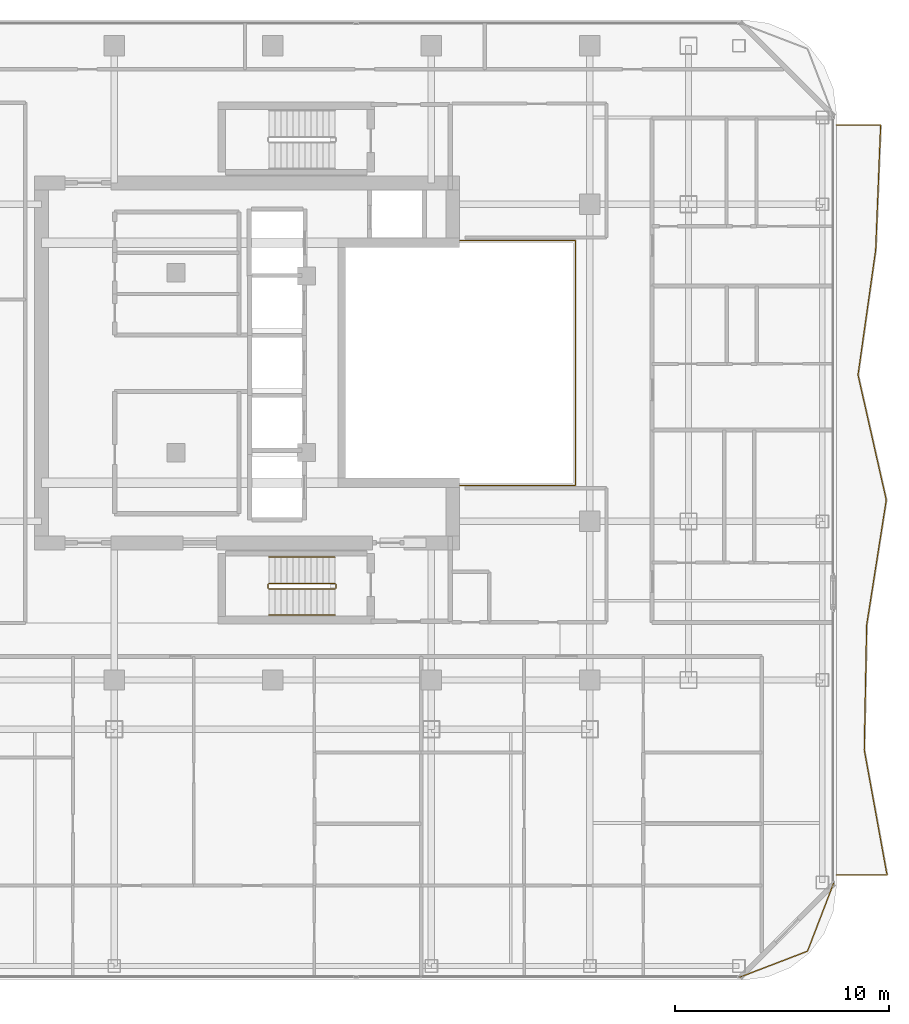
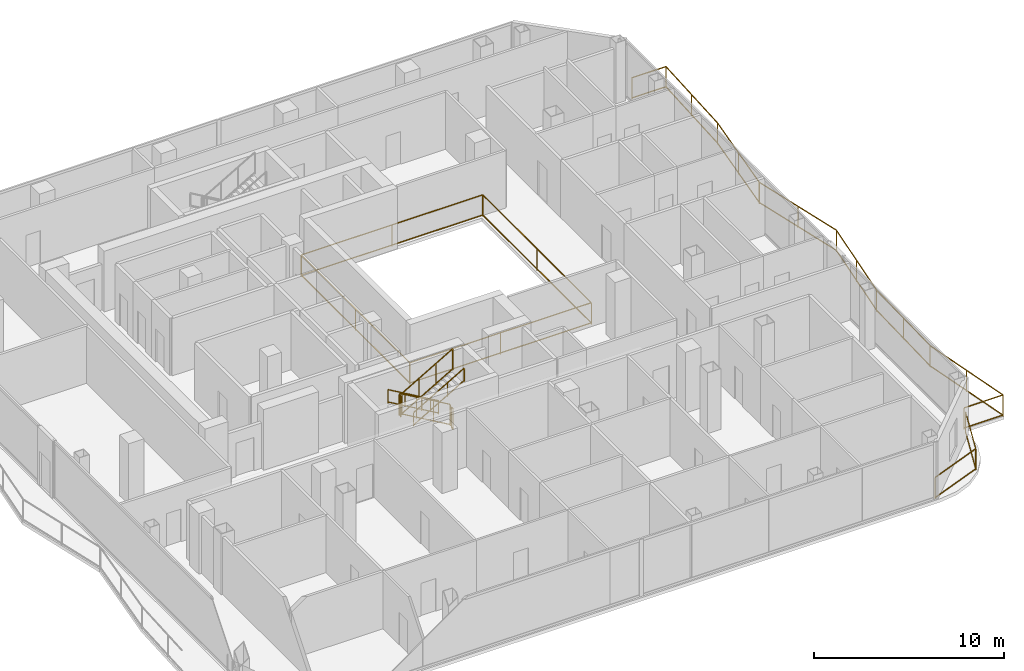
# One storey, part 26 of 27: 9 railings.
"""IFC4 building model written with IfcOpenShell, lengths in metres."""

from ifc_helpers import new_model, si_unit, direction, frame, origin, origin_2d, place, context, subcontext, project, spatial, rectangle, extrude, material, type_object, element, save


model = new_model("IFC4")

# Units and contexts
model_context = context("Model", 3, precision=1e-05, world=origin(), true_north=direction((0.0, 1.0)))
body_context = subcontext(model_context, "Body", "Model", "MODEL_VIEW")
ifc_project = project(units=[si_unit("LENGTHUNIT", "METRE"), si_unit("AREAUNIT", "SQUARE_METRE"), si_unit("VOLUMEUNIT", "CUBIC_METRE"), si_unit("PLANEANGLEUNIT", "RADIAN"), si_unit("MASSUNIT", "GRAM", prefix="KILO")], contexts=[model_context])

# Site, building, storey
site_placement = place(None, origin())
site = spatial("IfcSite", under=ifc_project, at=site_placement, CompositionType="ELEMENT")
building_placement = place(site_placement, origin())
building = spatial("IfcBuilding", under=site, at=building_placement, Name="Khorvyn Point Tower", CompositionType="ELEMENT")
storey_placement = place(building_placement, frame((0.0, 0.0, 246.89990234375)))
storey = spatial("IfcBuildingStorey", under=building, at=storey_placement, Name="L60", CompositionType="ELEMENT", Elevation=246.89990234375)

# Railings
ifc_material_1 = material(Name="Stainless steel 1.4401 and laminated glass", Category="steel")
railing_type_1 = type_object("IfcRailingType", Name="Crystal Atrium Smoke-Rated Perimeter Guardrail 1400", PredefinedType="GUARDRAIL", material=ifc_material_1)
railing_1_placement = place(storey_placement, frame((3.080078125, -5.719970703125, 0.0)))
element("IfcRailing", 1, at=railing_1_placement, inside=storey, type_object=railing_type_1, Name="L60 Crystal Atrium Perimeter Guardrail", PredefinedType="GUARDRAIL", context=body_context, shape_type="SweptSolid", body=[
    extrude(rectangle(XDim=0.048095703125, YDim=0.048095703125, at=origin_2d()), frame((0.0, 0.0, 1.3759765625), z_axis=(1.0, 0.0, 0.0), x_axis=(0.0, 1.0, 0.0)), (0.0, 0.0, 1.0), 11.0400390625),
    extrude(rectangle(XDim=0.048095703125, YDim=0.048095703125, at=origin_2d()), frame((0.0, 0.0, 0.080078125), z_axis=(1.0, 0.0, 0.0), x_axis=(0.0, 1.0, 0.0)), (0.0, 0.0, 1.0), 11.0400390625),
    extrude(rectangle(XDim=0.048095703125, YDim=0.048095703125, at=origin_2d()), frame((11.0400390625, 0.0, 1.3759765625), z_axis=(0.0, 1.0, 0.0), x_axis=(-1.0, 0.0, 0.0)), (0.0, 0.0, 1.0), 11.43994140625),
    extrude(rectangle(XDim=0.048095703125, YDim=0.048095703125, at=origin_2d()), frame((11.0400390625, 0.0, 0.080078125), z_axis=(0.0, 1.0, 0.0), x_axis=(-1.0, 0.0, 0.0)), (0.0, 0.0, 1.0), 11.43994140625),
    extrude(rectangle(XDim=0.048095703125, YDim=0.048095703125, at=origin_2d()), frame((11.0400390625, 11.43994140625, 1.3759765625), z_axis=(-1.0, 0.0, 0.0), x_axis=(0.0, -1.0, 0.0)), (0.0, 0.0, 1.0), 11.0400390625),
    extrude(rectangle(XDim=0.048095703125, YDim=0.048095703125, at=origin_2d()), frame((11.0400390625, 11.43994140625, 0.080078125), z_axis=(-1.0, 0.0, 0.0), x_axis=(0.0, -1.0, 0.0)), (0.0, 0.0, 1.0), 11.0400390625),
    extrude(rectangle(XDim=0.048095703125, YDim=0.048095703125, at=origin_2d()), frame((0.0, 11.43994140625, 1.3759765625), z_axis=(0.0, -1.0, 0.0), x_axis=(1.0, 0.0, 0.0)), (0.0, 0.0, 1.0), 11.409912109375),
    extrude(rectangle(XDim=0.048095703125, YDim=0.048095703125, at=origin_2d()), frame((0.0, 11.43994140625, 0.080078125), z_axis=(0.0, -1.0, 0.0), x_axis=(1.0, 0.0, 0.0)), (0.0, 0.0, 1.0), 11.409912109375),
    extrude(rectangle(XDim=0.0419921875, YDim=0.0419921875, at=origin_2d()), origin(), (0.0, 0.0, 1.0), 1.351806640625),
    extrude(rectangle(XDim=0.0419921875, YDim=0.0419921875, at=origin_2d()), frame((5.52001953125, 0.0, 0.0)), (0.0, 0.0, 1.0), 1.351806640625),
    extrude(rectangle(XDim=0.0419921875, YDim=0.0419921875, at=origin_2d()), frame((11.0400390625, 0.0, 0.0)), (0.0, 0.0, 1.0), 1.351806640625),
    extrude(rectangle(XDim=0.0419921875, YDim=0.0419921875, at=origin_2d()), frame((11.0400390625, 5.719970703125, 0.0)), (0.0, 0.0, 1.0), 1.351806640625),
    extrude(rectangle(XDim=0.0419921875, YDim=0.0419921875, at=origin_2d()), frame((11.0400390625, 11.43994140625, 0.0)), (0.0, 0.0, 1.0), 1.351806640625),
    extrude(rectangle(XDim=0.0419921875, YDim=0.0419921875, at=origin_2d()), frame((5.52001953125, 11.43994140625, 0.0)), (0.0, 0.0, 1.0), 1.351806640625),
    extrude(rectangle(XDim=0.0419921875, YDim=0.0419921875, at=origin_2d()), frame((0.0, 11.43994140625, 0.0)), (0.0, 0.0, 1.0), 1.351806640625),
    extrude(rectangle(XDim=0.0419921875, YDim=0.0419921875, at=origin_2d()), frame((0.0, 5.73486328125, 0.0)), (0.0, 0.0, 1.0), 1.351806640625),
    extrude(rectangle(XDim=0.0419921875, YDim=0.0419921875, at=origin_2d()), frame((0.0, 0.030029296875, 0.0)), (0.0, 0.0, 1.0), 1.351806640625),
])
ifc_material_2 = material(Name="Anodised aluminium 6063-T6 and laminated safety glass", Category="aluminium")
railing_type_2 = type_object("IfcRailingType", Name="Laminated Glass and Aluminium Balcony Guardrail 1400", PredefinedType="BALUSTRADE", material=ifc_material_2)
railing_2_placement = place(storey_placement, frame((21.78125, -28.67431640625, 0.0)))
element("IfcRailing", 2, at=railing_2_placement, inside=storey, type_object=railing_type_2, Name="L60 Rounded Corner Edge Guardrail SE", PredefinedType="BALUSTRADE", context=body_context, shape_type="SweptSolid", body=[
    extrude(rectangle(XDim=0.048095703125, YDim=0.048095703125, at=origin_2d()), frame((0.0, 0.0, 1.3759765625), z_axis=(0.933589651443, 0.358343916815, 0.0), x_axis=(-0.358343916815, 0.933589651443, 0.0)), (0.0, 0.0, 1.0), 3.400390625),
    extrude(rectangle(XDim=0.048095703125, YDim=0.048095703125, at=origin_2d()), frame((0.0, 0.0, 0.080078125), z_axis=(0.933589651443, 0.358343916815, 0.0), x_axis=(-0.358343916815, 0.933589651443, 0.0)), (0.0, 0.0, 1.0), 3.400390625),
    extrude(rectangle(XDim=0.048095703125, YDim=0.048095703125, at=origin_2d()), frame((3.174560546875, 1.218505859375, 1.3759765625), z_axis=(0.358343916815, 0.933589651443, 0.0), x_axis=(-0.933589651443, 0.358343916815, 0.0)), (0.0, 0.0, 1.0), 3.400390625),
    extrude(rectangle(XDim=0.048095703125, YDim=0.048095703125, at=origin_2d()), frame((3.174560546875, 1.218505859375, 0.080078125), z_axis=(0.358343916815, 0.933589651443, 0.0), x_axis=(-0.933589651443, 0.358343916815, 0.0)), (0.0, 0.0, 1.0), 3.400390625),
    extrude(rectangle(XDim=0.0419921875, YDim=0.0419921875, at=origin_2d()), origin(), (0.0, 0.0, 1.0), 1.351806640625),
    extrude(rectangle(XDim=0.0419921875, YDim=0.0419921875, at=origin_2d()), frame((3.174560546875, 1.218505859375, 0.0)), (0.0, 0.0, 1.0), 1.351806640625),
    extrude(rectangle(XDim=0.0419921875, YDim=0.0419921875, at=origin_2d()), frame((4.39306640625, 4.39306640625, 0.0)), (0.0, 0.0, 1.0), 1.351806640625),
])
railing_3_placement = place(storey_placement, frame((26.300048828125, -23.89990234375, 0.0)))
element("IfcRailing", 3, at=railing_3_placement, inside=storey, type_object=railing_type_2, Name="L60 East Balcony Guardrail", PredefinedType="BALUSTRADE", context=body_context, shape_type="SweptSolid", body=[
    extrude(rectangle(XDim=0.048095703125, YDim=0.048095703125, at=origin_2d()), frame((0.0, 0.0, 1.3759765625), z_axis=(1.0, 0.0, 0.0), x_axis=(0.0, 1.0, 0.0)), (0.0, 0.0, 1.0), 2.36669921875),
    extrude(rectangle(XDim=0.048095703125, YDim=0.048095703125, at=origin_2d()), frame((0.0, 0.0, 0.080078125), z_axis=(1.0, 0.0, 0.0), x_axis=(0.0, 1.0, 0.0)), (0.0, 0.0, 1.0), 2.36669921875),
    extrude(rectangle(XDim=0.048095703125, YDim=0.048095703125, at=origin_2d()), frame((2.36669921875, 0.0, 1.3759765625), z_axis=(-0.179356454853, 0.983784154224, 0.0), x_axis=(-0.983784154224, -0.179356454853, 0.0)), (0.0, 0.0, 1.0), 5.929443359375),
    extrude(rectangle(XDim=0.048095703125, YDim=0.048095703125, at=origin_2d()), frame((2.36669921875, 0.0, 0.080078125), z_axis=(-0.179356454853, 0.983784154224, 0.0), x_axis=(-0.983784154224, -0.179356454853, 0.0)), (0.0, 0.0, 1.0), 5.929443359375),
    extrude(rectangle(XDim=0.048095703125, YDim=0.048095703125, at=origin_2d()), frame((1.30322265625, 5.833251953125, 1.3759765625), z_axis=(0.01924893367, 0.999814722112, 0.0), x_axis=(-0.999814722112, 0.01924893367, 0.0)), (0.0, 0.0, 1.0), 5.834228515625),
    extrude(rectangle(XDim=0.048095703125, YDim=0.048095703125, at=origin_2d()), frame((1.30322265625, 5.833251953125, 0.080078125), z_axis=(0.01924893367, 0.999814722112, 0.0), x_axis=(-0.999814722112, 0.01924893367, 0.0)), (0.0, 0.0, 1.0), 5.834228515625),
    extrude(rectangle(XDim=0.048095703125, YDim=0.048095703125, at=origin_2d()), frame((1.41552734375, 11.66650390625, 1.3759765625), z_axis=(0.155004956576, 0.987913692301, 0.0), x_axis=(-0.987913692301, 0.155004956576, 0.0)), (0.0, 0.0, 1.0), 5.90478515625),
    extrude(rectangle(XDim=0.048095703125, YDim=0.048095703125, at=origin_2d()), frame((1.41552734375, 11.66650390625, 0.080078125), z_axis=(0.155004956576, 0.987913692301, 0.0), x_axis=(-0.987913692301, 0.155004956576, 0.0)), (0.0, 0.0, 1.0), 5.90478515625),
    extrude(rectangle(XDim=0.048095703125, YDim=0.048095703125, at=origin_2d()), frame((2.330810546875, 17.5, 1.3759765625), z_axis=(-0.2206029152, 0.975363703346, 0.0), x_axis=(-0.975363703346, -0.2206029152, 0.0)), (0.0, 0.0, 1.0), 5.980712890625),
    extrude(rectangle(XDim=0.048095703125, YDim=0.048095703125, at=origin_2d()), frame((2.330810546875, 17.5, 0.080078125), z_axis=(-0.2206029152, 0.975363703346, 0.0), x_axis=(-0.975363703346, -0.2206029152, 0.0)), (0.0, 0.0, 1.0), 5.980712890625),
    extrude(rectangle(XDim=0.048095703125, YDim=0.048095703125, at=origin_2d()), frame((1.011474609375, 23.333251953125, 1.3759765625), z_axis=(0.139947544031, 0.990158919022, 0.0), x_axis=(-0.990158919022, 0.139947544031, 0.0)), (0.0, 0.0, 1.0), 5.89111328125),
    extrude(rectangle(XDim=0.048095703125, YDim=0.048095703125, at=origin_2d()), frame((1.011474609375, 23.333251953125, 0.080078125), z_axis=(0.139947544031, 0.990158919022, 0.0), x_axis=(-0.990158919022, 0.139947544031, 0.0)), (0.0, 0.0, 1.0), 5.89111328125),
    extrude(rectangle(XDim=0.048095703125, YDim=0.048095703125, at=origin_2d()), frame((1.8359375, 29.16650390625, 1.3759765625), z_axis=(0.039769299947, 0.999208888462, 0.0), x_axis=(-0.999208888462, 0.039769299947, 0.0)), (0.0, 0.0, 1.0), 5.838134765625),
    extrude(rectangle(XDim=0.048095703125, YDim=0.048095703125, at=origin_2d()), frame((1.8359375, 29.16650390625, 0.080078125), z_axis=(0.039769299947, 0.999208888462, 0.0), x_axis=(-0.999208888462, 0.039769299947, 0.0)), (0.0, 0.0, 1.0), 5.838134765625),
    extrude(rectangle(XDim=0.048095703125, YDim=0.048095703125, at=origin_2d()), frame((2.068115234375, 35.0, 1.3759765625), z_axis=(-1.0, 0.0, 0.0), x_axis=(0.0, -1.0, 0.0)), (0.0, 0.0, 1.0), 2.068115234375),
    extrude(rectangle(XDim=0.048095703125, YDim=0.048095703125, at=origin_2d()), frame((2.068115234375, 35.0, 0.080078125), z_axis=(-1.0, 0.0, 0.0), x_axis=(0.0, -1.0, 0.0)), (0.0, 0.0, 1.0), 2.068115234375),
    extrude(rectangle(XDim=0.0419921875, YDim=0.0419921875, at=origin_2d()), origin(), (0.0, 0.0, 1.0), 1.351806640625),
    extrude(rectangle(XDim=0.0419921875, YDim=0.0419921875, at=origin_2d()), frame((2.36669921875, 0.0, 0.0)), (0.0, 0.0, 1.0), 1.351806640625),
    extrude(rectangle(XDim=0.0419921875, YDim=0.0419921875, at=origin_2d()), frame((1.8349609375, 2.91650390625, 0.0)), (0.0, 0.0, 1.0), 1.351806640625),
    extrude(rectangle(XDim=0.0419921875, YDim=0.0419921875, at=origin_2d()), frame((1.30322265625, 5.833251953125, 0.0)), (0.0, 0.0, 1.0), 1.351806640625),
    extrude(rectangle(XDim=0.0419921875, YDim=0.0419921875, at=origin_2d()), frame((1.359375, 8.75, 0.0)), (0.0, 0.0, 1.0), 1.351806640625),
    extrude(rectangle(XDim=0.0419921875, YDim=0.0419921875, at=origin_2d()), frame((1.41552734375, 11.66650390625, 0.0)), (0.0, 0.0, 1.0), 1.351806640625),
    extrude(rectangle(XDim=0.0419921875, YDim=0.0419921875, at=origin_2d()), frame((1.873046875, 14.583251953125, 0.0)), (0.0, 0.0, 1.0), 1.351806640625),
    extrude(rectangle(XDim=0.0419921875, YDim=0.0419921875, at=origin_2d()), frame((2.330810546875, 17.5, 0.0)), (0.0, 0.0, 1.0), 1.351806640625),
    extrude(rectangle(XDim=0.0419921875, YDim=0.0419921875, at=origin_2d()), frame((1.671142578125, 20.41650390625, 0.0)), (0.0, 0.0, 1.0), 1.351806640625),
    extrude(rectangle(XDim=0.0419921875, YDim=0.0419921875, at=origin_2d()), frame((1.011474609375, 23.333251953125, 0.0)), (0.0, 0.0, 1.0), 1.351806640625),
    extrude(rectangle(XDim=0.0419921875, YDim=0.0419921875, at=origin_2d()), frame((1.423828125, 26.25, 0.0)), (0.0, 0.0, 1.0), 1.351806640625),
    extrude(rectangle(XDim=0.0419921875, YDim=0.0419921875, at=origin_2d()), frame((1.8359375, 29.16650390625, 0.0)), (0.0, 0.0, 1.0), 1.351806640625),
    extrude(rectangle(XDim=0.0419921875, YDim=0.0419921875, at=origin_2d()), frame((1.9521484375, 32.083251953125, 0.0)), (0.0, 0.0, 1.0), 1.351806640625),
    extrude(rectangle(XDim=0.0419921875, YDim=0.0419921875, at=origin_2d()), frame((2.068115234375, 35.0, 0.0)), (0.0, 0.0, 1.0), 1.351806640625),
    extrude(rectangle(XDim=0.0419921875, YDim=0.0419921875, at=origin_2d()), frame((0.0, 35.0, 0.0)), (0.0, 0.0, 1.0), 1.351806640625),
])
ifc_material_3 = material(Name="Stainless steel 1.4301", Category="steel")
railing_type_3 = type_object("IfcRailingType", Name="Stainless Steel 304 Stair Pitch Handrail 900", PredefinedType="HANDRAIL", material=ifc_material_3)
railing_4_placement = place(storey_placement, frame((2.89990234375, -9.070068359375, 0.16259765625)))
element("IfcRailing", 4, at=railing_4_placement, inside=storey, type_object=railing_type_3, Name="L60 ST-01 stair handrail 1", PredefinedType="HANDRAIL", context=body_context, shape_type="SweptSolid", body=[
    extrude(rectangle(XDim=0.048095703125, YDim=0.048095703125, at=origin_2d()), frame((0.0, 0.0, 0.8759765625), z_axis=(-0.864873446163, 0.0, 0.501989962173), x_axis=(0.0, -1.0, 0.0)), (0.0, 0.0, 1.0), 3.56103515625),
    extrude(rectangle(XDim=0.048095703125, YDim=0.048095703125, at=origin_2d()), frame((0.0, 0.0, 0.080078125), z_axis=(-0.864873446163, 0.0, 0.501989962173), x_axis=(0.0, -1.0, 0.0)), (0.0, 0.0, 1.0), 3.56103515625),
    extrude(rectangle(XDim=0.0419921875, YDim=0.0419921875, at=origin_2d()), origin(), (0.0, 0.0, 1.0), 0.851806640625),
    extrude(rectangle(XDim=0.0419921875, YDim=0.0419921875, at=origin_2d()), frame((-1.026611328125, 0.0, 0.595947265625)), (0.0, 0.0, 1.0), 0.851806640625),
    extrude(rectangle(XDim=0.0419921875, YDim=0.0419921875, at=origin_2d()), frame((-2.05322265625, 0.0, 1.191650390625)), (0.0, 0.0, 1.0), 0.851806640625),
    extrude(rectangle(XDim=0.0419921875, YDim=0.0419921875, at=origin_2d()), frame((-3.079833984375, 0.0, 1.78759765625)), (0.0, 0.0, 1.0), 0.851806640625),
])
railing_5_placement = place(storey_placement, frame((-0.179931640625, -11.77001953125, 2.112548828125)))
element("IfcRailing", 5, at=railing_5_placement, inside=storey, type_object=railing_type_3, Name="L60 ST-01 stair handrail 2", PredefinedType="HANDRAIL", context=body_context, shape_type="SweptSolid", body=[
    extrude(rectangle(XDim=0.048095703125, YDim=0.048095703125, at=origin_2d()), frame((0.0, 0.0, 0.8759765625), z_axis=(0.864873446163, 0.0, 0.501989962173), x_axis=(0.0, 1.0, 0.0)), (0.0, 0.0, 1.0), 3.56103515625),
    extrude(rectangle(XDim=0.048095703125, YDim=0.048095703125, at=origin_2d()), frame((0.0, 0.0, 0.080078125), z_axis=(0.864873446163, 0.0, 0.501989962173), x_axis=(0.0, 1.0, 0.0)), (0.0, 0.0, 1.0), 3.56103515625),
    extrude(rectangle(XDim=0.0419921875, YDim=0.0419921875, at=origin_2d()), origin(), (0.0, 0.0, 1.0), 0.851806640625),
    extrude(rectangle(XDim=0.0419921875, YDim=0.0419921875, at=origin_2d()), frame((1.026611328125, 0.0, 0.595947265625)), (0.0, 0.0, 1.0), 0.851806640625),
    extrude(rectangle(XDim=0.0419921875, YDim=0.0419921875, at=origin_2d()), frame((2.05322265625, 0.0, 1.191650390625)), (0.0, 0.0, 1.0), 0.851806640625),
    extrude(rectangle(XDim=0.0419921875, YDim=0.0419921875, at=origin_2d()), frame((3.079833984375, 0.0, 1.78759765625)), (0.0, 0.0, 1.0), 0.851806640625),
])
railing_type_4 = type_object("IfcRailingType", Name="Stainless Steel 304 Stair Well Guardrail 1400", PredefinedType="GUARDRAIL", material=ifc_material_3)
railing_6_placement = place(storey_placement, frame((2.89990234375, -10.2900390625, 0.16259765625)))
element("IfcRailing", 6, at=railing_6_placement, inside=storey, type_object=railing_type_4, Name="L60 ST-01 stair guard 1", PredefinedType="GUARDRAIL", context=body_context, shape_type="SweptSolid", body=[
    extrude(rectangle(XDim=0.048095703125, YDim=0.048095703125, at=origin_2d()), frame((0.0, 0.0, 1.3759765625), z_axis=(-0.864873446163, 0.0, 0.501989962173), x_axis=(0.0, -1.0, 0.0)), (0.0, 0.0, 1.0), 3.56103515625),
    extrude(rectangle(XDim=0.048095703125, YDim=0.048095703125, at=origin_2d()), frame((0.0, 0.0, 0.080078125), z_axis=(-0.864873446163, 0.0, 0.501989962173), x_axis=(0.0, -1.0, 0.0)), (0.0, 0.0, 1.0), 3.56103515625),
    extrude(rectangle(XDim=0.0419921875, YDim=0.0419921875, at=origin_2d()), origin(), (0.0, 0.0, 1.0), 1.351806640625),
    extrude(rectangle(XDim=0.0419921875, YDim=0.0419921875, at=origin_2d()), frame((-1.026611328125, 0.0, 0.595947265625)), (0.0, 0.0, 1.0), 1.351806640625),
    extrude(rectangle(XDim=0.0419921875, YDim=0.0419921875, at=origin_2d()), frame((-2.05322265625, 0.0, 1.191650390625)), (0.0, 0.0, 1.0), 1.351806640625),
    extrude(rectangle(XDim=0.0419921875, YDim=0.0419921875, at=origin_2d()), frame((-3.079833984375, 0.0, 1.78759765625)), (0.0, 0.0, 1.0), 1.351806640625),
])
railing_7_placement = place(storey_placement, frame((-0.22998046875, -10.340087890625, 1.9501953125)))
element("IfcRailing", 7, at=railing_7_placement, inside=storey, type_object=railing_type_4, Name="L60 ST-01 stair guard 2", PredefinedType="GUARDRAIL", context=body_context, shape_type="SweptSolid", body=[
    extrude(rectangle(XDim=0.048095703125, YDim=0.048095703125, at=origin_2d()), frame((0.0, 0.0, 1.3759765625), z_axis=(0.0, -1.0, 0.0), x_axis=(1.0, 0.0, 0.0)), (0.0, 0.0, 1.0), 0.159912109375),
    extrude(rectangle(XDim=0.048095703125, YDim=0.048095703125, at=origin_2d()), frame((0.0, 0.0, 0.080078125), z_axis=(0.0, -1.0, 0.0), x_axis=(1.0, 0.0, 0.0)), (0.0, 0.0, 1.0), 0.159912109375),
    extrude(rectangle(XDim=0.0419921875, YDim=0.0419921875, at=origin_2d()), origin(), (0.0, 0.0, 1.0), 1.351806640625),
    extrude(rectangle(XDim=0.0419921875, YDim=0.0419921875, at=origin_2d()), frame((0.0, -0.159912109375, 0.0)), (0.0, 0.0, 1.0), 1.351806640625),
])
railing_8_placement = place(storey_placement, frame((-0.179931640625, -10.550048828125, 2.112548828125)))
element("IfcRailing", 8, at=railing_8_placement, inside=storey, type_object=railing_type_4, Name="L60 ST-01 stair guard 3", PredefinedType="GUARDRAIL", context=body_context, shape_type="SweptSolid", body=[
    extrude(rectangle(XDim=0.048095703125, YDim=0.048095703125, at=origin_2d()), frame((0.0, 0.0, 1.3759765625), z_axis=(0.864873446163, 0.0, 0.501989962173), x_axis=(0.0, 1.0, 0.0)), (0.0, 0.0, 1.0), 3.56103515625),
    extrude(rectangle(XDim=0.048095703125, YDim=0.048095703125, at=origin_2d()), frame((0.0, 0.0, 0.080078125), z_axis=(0.864873446163, 0.0, 0.501989962173), x_axis=(0.0, 1.0, 0.0)), (0.0, 0.0, 1.0), 3.56103515625),
    extrude(rectangle(XDim=0.0419921875, YDim=0.0419921875, at=origin_2d()), origin(), (0.0, 0.0, 1.0), 1.351806640625),
    extrude(rectangle(XDim=0.0419921875, YDim=0.0419921875, at=origin_2d()), frame((1.026611328125, 0.0, 0.595947265625)), (0.0, 0.0, 1.0), 1.351806640625),
    extrude(rectangle(XDim=0.0419921875, YDim=0.0419921875, at=origin_2d()), frame((2.05322265625, 0.0, 1.191650390625)), (0.0, 0.0, 1.0), 1.351806640625),
    extrude(rectangle(XDim=0.0419921875, YDim=0.0419921875, at=origin_2d()), frame((3.079833984375, 0.0, 1.78759765625)), (0.0, 0.0, 1.0), 1.351806640625),
])
railing_9_placement = place(storey_placement, frame((2.949951171875, -10.340087890625, 0.0)))
element("IfcRailing", 9, at=railing_9_placement, inside=storey, type_object=railing_type_4, Name="L60 ST-01 stair guard 4", PredefinedType="GUARDRAIL", context=body_context, shape_type="SweptSolid", body=[
    extrude(rectangle(XDim=0.048095703125, YDim=0.048095703125, at=origin_2d()), frame((0.0, 0.0, 1.3759765625), z_axis=(0.0, -1.0, 0.0), x_axis=(1.0, 0.0, 0.0)), (0.0, 0.0, 1.0), 0.159912109375),
    extrude(rectangle(XDim=0.048095703125, YDim=0.048095703125, at=origin_2d()), frame((0.0, 0.0, 0.080078125), z_axis=(0.0, -1.0, 0.0), x_axis=(1.0, 0.0, 0.0)), (0.0, 0.0, 1.0), 0.159912109375),
    extrude(rectangle(XDim=0.0419921875, YDim=0.0419921875, at=origin_2d()), origin(), (0.0, 0.0, 1.0), 1.351806640625),
    extrude(rectangle(XDim=0.0419921875, YDim=0.0419921875, at=origin_2d()), frame((0.0, -0.159912109375, 0.0)), (0.0, 0.0, 1.0), 1.351806640625),
])

save(model, "model.ifc")
